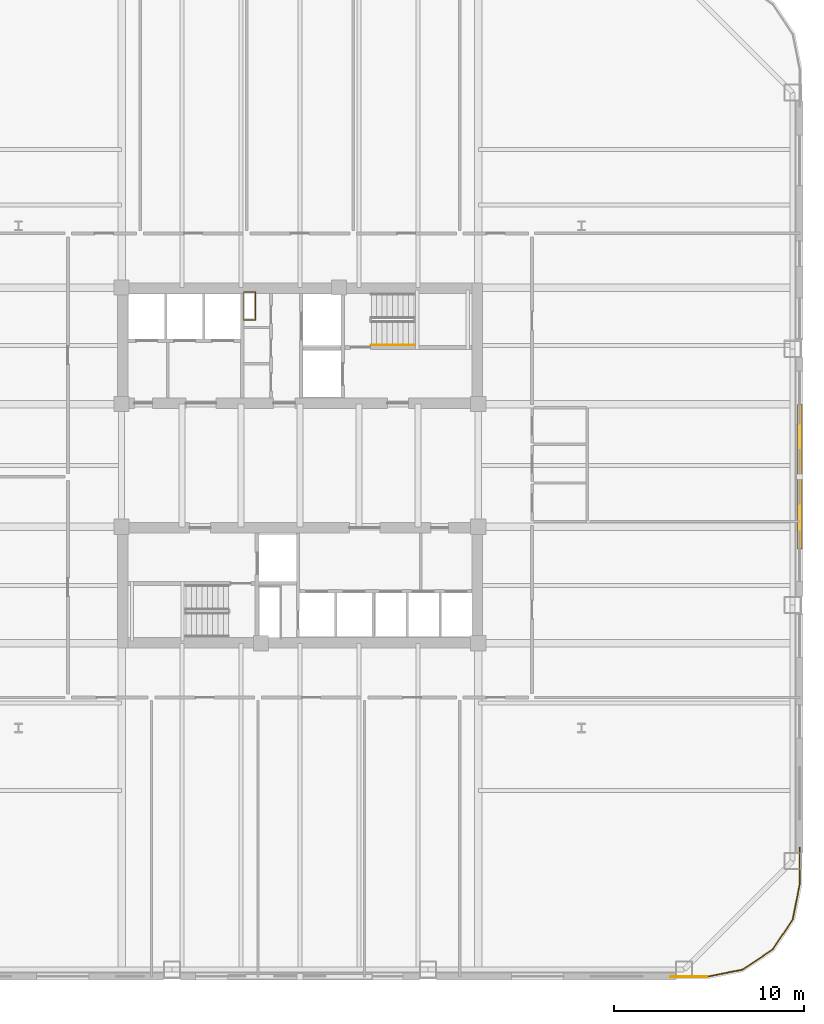
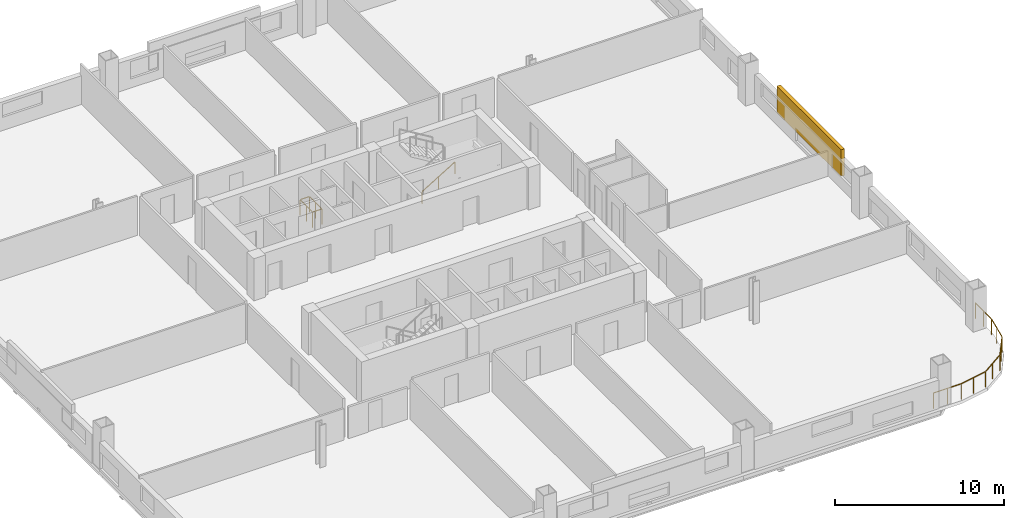
# One storey, part 9 of 12: 4 railings, 1 shading device.
"""IFC4 building model written with IfcOpenShell, lengths in metres."""

from ifc_helpers import new_model, si_unit, direction, frame, origin, origin_2d, place, context, subcontext, project, spatial, rectangle, extrude, material, type_object, element, save


model = new_model("IFC4")

# Units and contexts
model_context = context("Model", 3, precision=1e-05, world=origin(), true_north=direction((0.0, 1.0)))
body_context = subcontext(model_context, "Body", "Model", "MODEL_VIEW")
ifc_project = project(units=[si_unit("LENGTHUNIT", "METRE"), si_unit("AREAUNIT", "SQUARE_METRE"), si_unit("VOLUMEUNIT", "CUBIC_METRE"), si_unit("PLANEANGLEUNIT", "RADIAN"), si_unit("MASSUNIT", "GRAM", prefix="KILO")], contexts=[model_context])

# Site, building, storey
site_placement = place(None, origin())
site = spatial("IfcSite", under=ifc_project, at=site_placement, CompositionType="ELEMENT")
building_placement = place(site_placement, origin())
building = spatial("IfcBuilding", under=site, at=building_placement, Name="Qhalaya Broadcast Tower", CompositionType="ELEMENT")
storey_placement = place(building_placement, frame((0.0, 0.0, 35.25)))
storey = spatial("IfcBuildingStorey", under=building, at=storey_placement, Name="L09", CompositionType="ELEMENT", Elevation=35.25)

# Railings
ifc_material_1 = material(Name="Powder-Coated Galvanised Steel", Category="steel")
railing_type_1 = type_object("IfcRailingType", Name="Stair Wall Handrail 900", PredefinedType="HANDRAIL", material=ifc_material_1)
railing_1_placement = place(storey_placement, frame((3.75, 6.929931640625, 0.16943359375)))
element("IfcRailing", 1, at=railing_1_placement, inside=storey, type_object=railing_type_1, Name="L09 ST-1 Stair Handrail 1", PredefinedType="HANDRAIL", context=body_context, shape_type="SweptSolid", body=[
    extrude(rectangle(XDim=0.048095703125, YDim=0.048095703125, at=origin_2d()), frame((0.0, 0.0, 0.8759765625), z_axis=(0.855553338991, 0.0, 0.51771467445), x_axis=(0.0, 1.0, 0.0)), (0.0, 0.0, 1.0), 2.6181640625),
    extrude(rectangle(XDim=0.0419921875, YDim=0.0419921875, at=origin_2d()), origin(), (0.0, 0.0, 1.0), 0.849853515625),
    extrude(rectangle(XDim=0.0419921875, YDim=0.0419921875, at=origin_2d()), frame((1.1201171875, 0.0, 0.677734375)), (0.0, 0.0, 1.0), 0.849853515625),
    extrude(rectangle(XDim=0.0419921875, YDim=0.0419921875, at=origin_2d()), frame((2.239990234375, 0.0, 1.35546875)), (0.0, 0.0, 1.0), 0.849853515625),
])
railing_type_2 = type_object("IfcRailingType", Name="Stair Well & Landing Guardrail 1100", PredefinedType="GUARDRAIL", material=ifc_material_1)
railing_2_placement = place(storey_placement, frame((-2.340087890625, 8.239990234375, 0.0)))
element("IfcRailing", 2, at=railing_2_placement, inside=storey, type_object=railing_type_2, Name="L09 Service Riser Opening Safety Guard NRSR", PredefinedType="GUARDRAIL", context=body_context, shape_type="SweptSolid", body=[
    extrude(rectangle(XDim=0.048095703125, YDim=0.048095703125, at=origin_2d()), frame((0.0, 0.02880859375, 1.1259765625), z_axis=(0.0, 1.0, 0.0), x_axis=(-1.0, 0.0, 0.0)), (0.0, 0.0, 1.0), 1.42236328125),
    extrude(rectangle(XDim=0.048095703125, YDim=0.048095703125, at=origin_2d()), frame((-0.02880859375, 1.47998046875, 1.1259765625), z_axis=(-1.0, 0.0, 0.0), x_axis=(0.0, -1.0, 0.0)), (0.0, 0.0, 1.0), 0.582275390625),
    extrude(rectangle(XDim=0.048095703125, YDim=0.048095703125, at=origin_2d()), frame((-0.639892578125, 1.451171875, 1.1259765625), z_axis=(0.0, -1.0, 0.0), x_axis=(1.0, 0.0, 0.0)), (0.0, 0.0, 1.0), 1.42236328125),
    extrude(rectangle(XDim=0.048095703125, YDim=0.048095703125, at=origin_2d()), frame((-0.611083984375, 0.0, 1.1259765625), z_axis=(1.0, 0.0, 0.0), x_axis=(0.0, 1.0, 0.0)), (0.0, 0.0, 1.0), 0.582275390625),
    extrude(rectangle(XDim=0.0419921875, YDim=0.0419921875, at=origin_2d()), origin(), (0.0, 0.0, 1.0), 1.099853515625),
    extrude(rectangle(XDim=0.0419921875, YDim=0.0419921875, at=origin_2d()), frame((0.0, 0.739990234375, 0.0)), (0.0, 0.0, 1.0), 1.099853515625),
    extrude(rectangle(XDim=0.0419921875, YDim=0.0419921875, at=origin_2d()), frame((0.0, 1.47998046875, 0.0)), (0.0, 0.0, 1.0), 1.099853515625),
    extrude(rectangle(XDim=0.0419921875, YDim=0.0419921875, at=origin_2d()), frame((-0.639892578125, 1.47998046875, 0.0)), (0.0, 0.0, 1.0), 1.099853515625),
    extrude(rectangle(XDim=0.0419921875, YDim=0.0419921875, at=origin_2d()), frame((-0.639892578125, 0.739990234375, 0.0)), (0.0, 0.0, 1.0), 1.099853515625),
    extrude(rectangle(XDim=0.0419921875, YDim=0.0419921875, at=origin_2d()), frame((-0.639892578125, 0.0, 0.0)), (0.0, 0.0, 1.0), 1.099853515625),
])
railing_type_3 = type_object("IfcRailingType", Name="Terrace, Sky-Pool & Lookout Glass Balustrade 1150", PredefinedType="BALUSTRADE", material=ifc_material_1)
railing_3_placement = place(storey_placement, frame((21.38818359375, -26.280029296875, 0.0)))
element("IfcRailing", 3, at=railing_3_placement, inside=storey, type_object=railing_type_3, Name="L09 Rounded Corner Perimeter Guard 01", PredefinedType="BALUSTRADE", context=body_context, shape_type="SweptSolid", body=[
    extrude(rectangle(XDim=0.048095703125, YDim=0.048095703125, at=origin_2d()), frame((0.0, 0.0, 1.1259765625), z_axis=(-1.0, 0.0, 0.0), x_axis=(0.0, -1.0, 0.0)), (0.0, 0.0, 1.0), 1.90625),
    extrude(rectangle(XDim=0.0419921875, YDim=0.0419921875, at=origin_2d()), origin(), (0.0, 0.0, 1.0), 1.099853515625),
    extrude(rectangle(XDim=0.0419921875, YDim=0.0419921875, at=origin_2d()), frame((-0.953125, 0.0, 0.0)), (0.0, 0.0, 1.0), 1.099853515625),
    extrude(rectangle(XDim=0.0419921875, YDim=0.0419921875, at=origin_2d()), frame((-1.90625, 0.0, 0.0)), (0.0, 0.0, 1.0), 1.099853515625),
])
railing_4_placement = place(storey_placement, frame((26.280029296875, -19.48193359375, 0.0)))
element("IfcRailing", 4, at=railing_4_placement, inside=storey, type_object=railing_type_3, Name="L09 Rounded Corner Perimeter Guard 05", PredefinedType="BALUSTRADE", context=body_context, shape_type="SweptSolid", body=[
    extrude(rectangle(XDim=0.048095703125, YDim=0.048095703125, at=origin_2d()), frame((0.0, 0.0, 1.1259765625), z_axis=(0.0, -1.0, 0.0), x_axis=(1.0, 0.0, 0.0)), (0.0, 0.0, 1.0), 1.87744140625),
    extrude(rectangle(XDim=0.048095703125, YDim=0.048095703125, at=origin_2d()), frame((-0.005615234375, -1.9345703125, 1.1259765625), z_axis=(-0.195037378397, -0.980795810058, 0.0), x_axis=(0.980795810058, -0.195037378397, 0.0)), (0.0, 0.0, 1.0), 1.857421875),
    extrude(rectangle(XDim=0.048095703125, YDim=0.048095703125, at=origin_2d()), frame((-0.3896484375, -3.80859375, 1.1259765625), z_axis=(-0.555558355728, -0.831477548332, 0.0), x_axis=(0.831477548332, -0.555558355728, 0.0)), (0.0, 0.0, 1.0), 1.845458984375),
    extrude(rectangle(XDim=0.048095703125, YDim=0.048095703125, at=origin_2d()), frame((-1.454833984375, -5.38330078125, 1.1259765625), z_axis=(-0.831477548332, -0.555558355728, 0.0), x_axis=(0.555558355728, -0.831477548332, 0.0)), (0.0, 0.0, 1.0), 1.845458984375),
    extrude(rectangle(XDim=0.048095703125, YDim=0.048095703125, at=origin_2d()), frame((-3.041748046875, -6.43017578125, 1.1259765625), z_axis=(-0.980795810058, -0.195037378397, 0.0), x_axis=(0.195037378397, -0.980795810058, 0.0)), (0.0, 0.0, 1.0), 1.88623046875),
    extrude(rectangle(XDim=0.0419921875, YDim=0.0419921875, at=origin_2d()), origin(), (0.0, 0.0, 1.0), 1.099853515625),
    extrude(rectangle(XDim=0.0419921875, YDim=0.0419921875, at=origin_2d()), frame((0.0, -0.953125, 0.0)), (0.0, 0.0, 1.0), 1.099853515625),
    extrude(rectangle(XDim=0.0419921875, YDim=0.0419921875, at=origin_2d()), frame((0.0, -1.90625, 0.0)), (0.0, 0.0, 1.0), 1.099853515625),
    extrude(rectangle(XDim=0.0419921875, YDim=0.0419921875, at=origin_2d()), frame((-0.186767578125, -2.845458984375, 0.0)), (0.0, 0.0, 1.0), 1.099853515625),
    extrude(rectangle(XDim=0.0419921875, YDim=0.0419921875, at=origin_2d()), frame((-0.37353515625, -3.78466796875, 0.0)), (0.0, 0.0, 1.0), 1.099853515625),
    extrude(rectangle(XDim=0.0419921875, YDim=0.0419921875, at=origin_2d()), frame((-0.90234375, -4.575927734375, 0.0)), (0.0, 0.0, 1.0), 1.099853515625),
    extrude(rectangle(XDim=0.0419921875, YDim=0.0419921875, at=origin_2d()), frame((-1.430908203125, -5.3671875, 0.0)), (0.0, 0.0, 1.0), 1.099853515625),
    extrude(rectangle(XDim=0.0419921875, YDim=0.0419921875, at=origin_2d()), frame((-2.22216796875, -5.89599609375, 0.0)), (0.0, 0.0, 1.0), 1.099853515625),
    extrude(rectangle(XDim=0.0419921875, YDim=0.0419921875, at=origin_2d()), frame((-3.013427734375, -6.424560546875, 0.0)), (0.0, 0.0, 1.0), 1.099853515625),
    extrude(rectangle(XDim=0.0419921875, YDim=0.0419921875, at=origin_2d()), frame((-3.95263671875, -6.611328125, 0.0)), (0.0, 0.0, 1.0), 1.099853515625),
    extrude(rectangle(XDim=0.0419921875, YDim=0.0419921875, at=origin_2d()), frame((-4.891845703125, -6.798095703125, 0.0)), (0.0, 0.0, 1.0), 1.099853515625),
])

# Shading device
ifc_material_2 = material(Name="Fired Architectural Terracotta", Category="masonry")
shading_device_type = type_object("IfcShadingDeviceType", Name="Terracotta Baguette Solar Screen Assembly TBS-01", PredefinedType="USERDEFINED", material=ifc_material_2)
shading_device_placement = place(storey_placement, frame((26.280029296875, 0.0, 0.79248046875), z_axis=(0.0, 0.0, 1.0), x_axis=(0.0, 1.0, 0.0)))
element("IfcShadingDevice", 5, at=shading_device_placement, inside=storey, type_object=shading_device_type, Name="L09 Fired Terracotta Baguette Screen E", ObjectType="BAGUETTE", PredefinedType="USERDEFINED", context=body_context, shape_type="SweptSolid", body=[
    extrude(rectangle(XDim=7.60009765625, YDim=0.239990234375, at=origin_2d()), origin(), (0.0, 0.0, 1.0), 1.924072265625),
])

save(model, "model.ifc")
